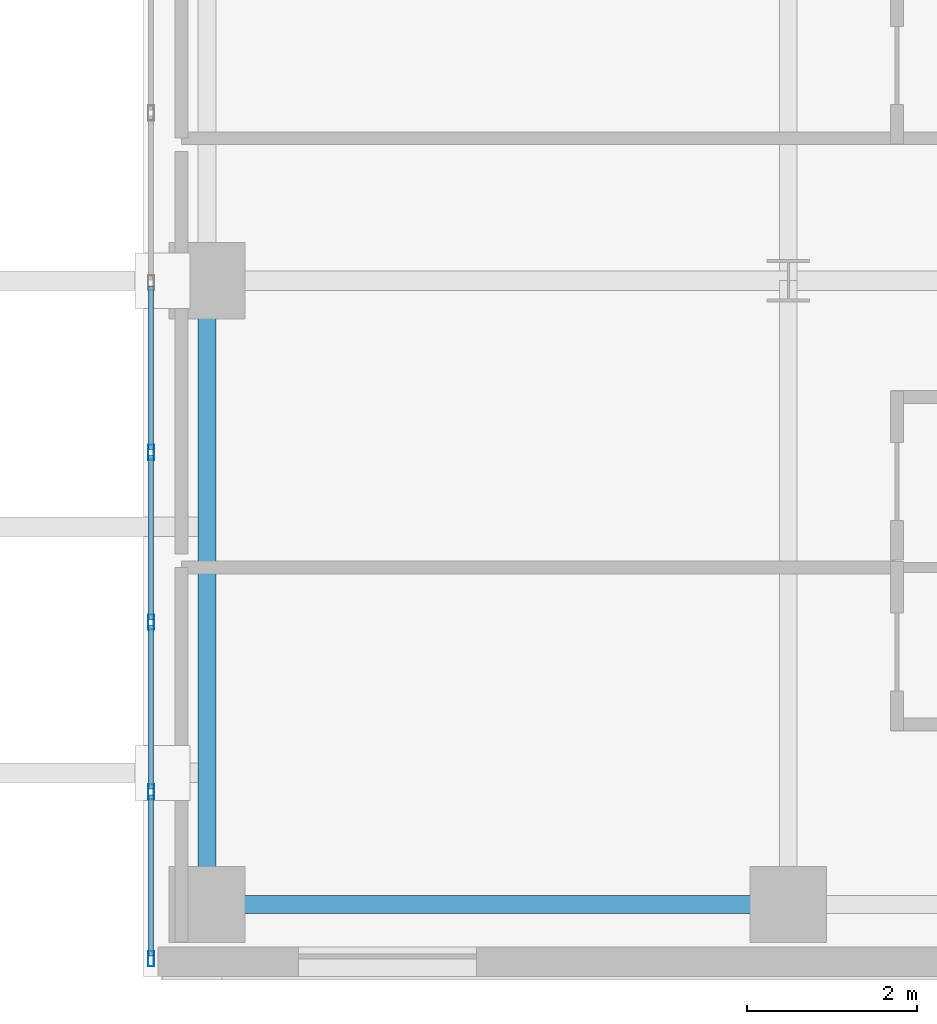
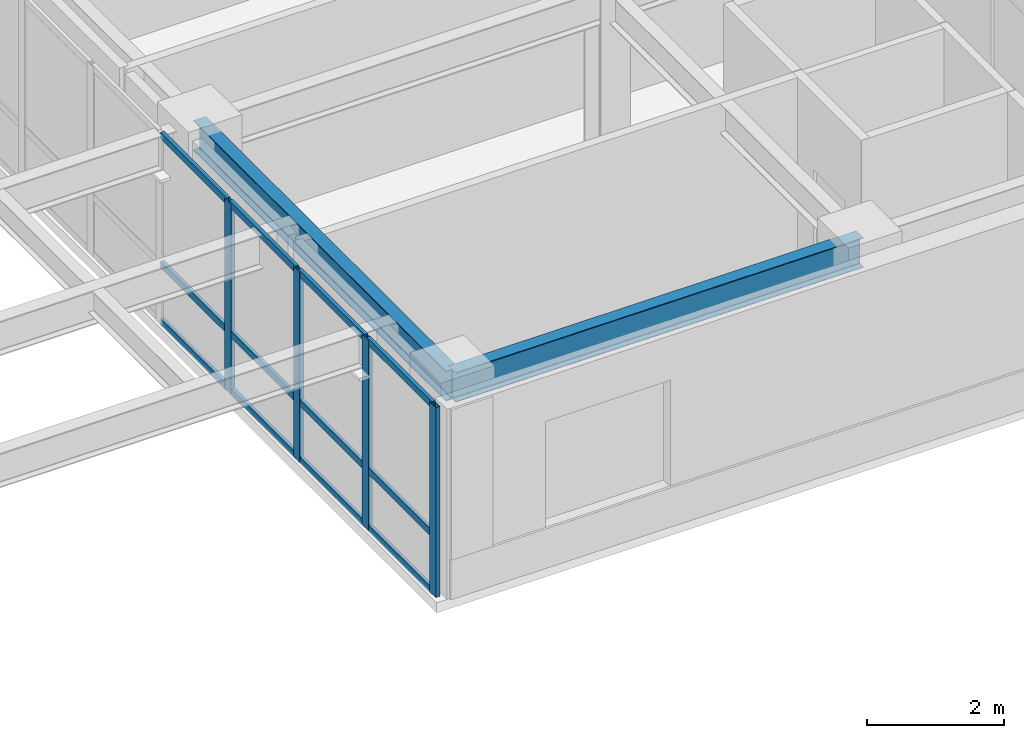
# One storey, part 7 of 24: 16 members, 2 beams, 1 element without a shape of its own.
"""IFC4 building model written with IfcOpenShell, lengths in metres."""

from ifc_helpers import new_model, si_unit, direction, frame, origin, origin_2d, place, context, subcontext, project, spatial, hollow_rectangle, i_section, extrude, source, transform, mapped, material, layer, layer_set, material_profile, profile_set, type_object, type_shapes, element, aggregate, save


model = new_model("IFC4")

# Units and contexts
model_context = context("Model", 3, precision=1e-05, world=origin(), true_north=direction((0.0, 1.0)))
body_context = subcontext(model_context, "Body", "Model", "MODEL_VIEW")
ifc_project = project(units=[si_unit("LENGTHUNIT", "METRE"), si_unit("AREAUNIT", "SQUARE_METRE"), si_unit("VOLUMEUNIT", "CUBIC_METRE"), si_unit("PLANEANGLEUNIT", "RADIAN"), si_unit("MASSUNIT", "GRAM", prefix="KILO")], contexts=[model_context])

# Site, building, storey
site_placement = place(None, origin())
site = spatial("IfcSite", under=ifc_project, at=site_placement, CompositionType="ELEMENT")
building_placement = place(site_placement, origin())
building = spatial("IfcBuilding", under=site, at=building_placement, Name="Tolvann Quenvar Hotel", CompositionType="ELEMENT")
storey_placement = place(building_placement, frame((0.0, 0.0, 118.64990234375)))
storey = spatial("IfcBuildingStorey", under=building, at=storey_placement, Name="L30", CompositionType="ELEMENT", Elevation=118.64990234375)

# Beams
ifc_material_1 = material(Name="Steel Grade 350", Category="steel")
ifc_material_profile_1 = material_profile(ifc_material_1, i_section(OverallWidth=0.208984375, OverallDepth=0.528076171875, WebThickness=0.009521484375, FlangeThickness=0.01318359375, FilletRadius=0.013916015625, at=origin_2d()), Name="530UB82")
ifc_profile_set_1 = profile_set([ifc_material_profile_1], Name="Steel Grade 350")
beam_type_1 = type_object("IfcBeamType", Name="BM_SPAND_530UB82", PredefinedType="SPANDREL", material=ifc_profile_set_1)
shared_shape_1 = source(origin(), body_context, "Body", "SweptSolid", [
    extrude(i_section(OverallWidth=0.208984375, OverallDepth=0.528076171875, WebThickness=0.009521484375, FlangeThickness=0.01318359375, FilletRadius=0.013916015625, at=origin_2d()), origin(), (0.0, 0.0, 1.0), 6.85009765625),
])
type_shapes(beam_type_1, [shared_shape_1])
beam_1_placement = place(storey_placement, frame((34.949951171875, 0.85009765625, 3.106201171875), z_axis=(1.0, 0.0, 0.0), x_axis=(0.0, 1.0, 0.0)))
element("IfcBeam", 1, at=beam_1_placement, inside=storey, type_object=beam_type_1, Name="BM-L30-EW-2-F2-H2", PredefinedType="SPANDREL", context=body_context, shape_type="MappedRepresentation", body=[
    mapped(shared_shape_1, transform((0.0, 0.0, 0.0), x_axis=(1.0, 0.0, 0.0), y_axis=(0.0, 1.0, 0.0), z_axis=(0.0, 0.0, 1.0), scale=1.0)),
])
ifc_material_profile_2 = material_profile(ifc_material_1, i_section(OverallWidth=0.208984375, OverallDepth=0.532958984375, WebThickness=0.01025390625, FlangeThickness=0.015625, FilletRadius=0.013916015625, at=origin_2d()), Name="530UB92")
ifc_profile_set_2 = profile_set([ifc_material_profile_2], Name="Steel Grade 350")
beam_type_2 = type_object("IfcBeamType", Name="BM_GIRD_530UB92", PredefinedType="BEAM", material=ifc_profile_set_2)
shared_shape_2 = source(origin(), body_context, "Body", "SweptSolid", [
    extrude(i_section(OverallWidth=0.208984375, OverallDepth=0.532958984375, WebThickness=0.01025390625, FlangeThickness=0.015625, FilletRadius=0.013916015625, at=origin_2d()), origin(), (0.0, 0.0, 1.0), 7.349853515625),
])
type_shapes(beam_type_2, [shared_shape_2])
beam_2_placement = place(storey_placement, frame((34.949951171875, 0.85009765625, 3.103515625), z_axis=(0.0, 1.0, 0.0), x_axis=(-1.0, 0.0, 0.0)))
element("IfcBeam", 2, at=beam_2_placement, inside=storey, type_object=beam_type_2, Name="BM-L30-NS-F2-F3", PredefinedType="BEAM", context=body_context, shape_type="MappedRepresentation", body=[
    mapped(shared_shape_2, transform((0.0, 0.0, 0.0), x_axis=(1.0, 0.0, 0.0), y_axis=(0.0, 1.0, 0.0), z_axis=(0.0, 0.0, 1.0), scale=1.0)),
])

# Curtain wall, members
ifc_material_2 = material(Name="Thermally broken anodised architectural aluminium 6063-T6 and laminated low-E glass", Category="aluminium")
ifc_layer = layer(ifc_material_2, 0.179931640625)
ifc_layer_set = layer_set([ifc_layer], Name="Thermally broken anodised architectural aluminium 6063-T6 and laminated low-E glass")
curtain_wall_type = type_object("IfcCurtainWallType", Name="CW_SYS_SLOT_03", PredefinedType="USERDEFINED", material=ifc_layer_set)
curtain_wall_placement = place(storey_placement, origin())
curtain_wall = element("IfcCurtainWall", 3, at=curtain_wall_placement, inside=storey, type_object=curtain_wall_type, Name="Curtain Wall CW-SLOT-03 (CWR-L30-E07)", ObjectType="UNITISED CURTAIN WALL", PredefinedType="USERDEFINED")
ifc_material_3 = material(Name="Anodised architectural aluminium 6063-T6 framing", Category="aluminium")
ifc_material_profile_3 = material_profile(ifc_material_3, hollow_rectangle(XDim=0.070068359375, YDim=0.179931640625, WallThickness=0.00390625, at=origin_2d()), Name="180x70x4RHS")
ifc_profile_set_3 = profile_set([ifc_material_profile_3], Name="Anodised architectural aluminium 6063-T6 framing")
member_type_1 = type_object("IfcMemberType", Name="CW_MULL_180x70", PredefinedType="MULLION", material=ifc_profile_set_3)
shared_shape_3 = source(origin(), body_context, "Body", "SweptSolid", [
    extrude(hollow_rectangle(XDim=0.070068359375, YDim=0.179931640625, WallThickness=0.00390625, at=origin_2d()), origin(), (0.0, 0.0, 1.0), 3.3701171875),
])
type_shapes(member_type_1, [shared_shape_3])
member_1_placement = place(storey_placement, frame((34.2900390625, 6.175048828125, 0.0), z_axis=(0.0, 0.0, 1.0), x_axis=(1.0, 0.0, 0.0)))
member_1 = element("IfcMember", 4, at=member_1_placement, type_object=member_type_1, Name="CW-SLOT-03 mullion 6", PredefinedType="MULLION", context=body_context, shape_type="MappedRepresentation", body=[
    mapped(shared_shape_3, transform((0.0, 0.0, 0.0), x_axis=(1.0, 0.0, 0.0), y_axis=(0.0, 1.0, 0.0), z_axis=(0.0, 0.0, 1.0), scale=1.0)),
])
member_2_placement = place(storey_placement, frame((34.2900390625, 4.175048828125, 0.0), z_axis=(0.0, 0.0, 1.0), x_axis=(1.0, 0.0, 0.0)))
member_2 = element("IfcMember", 5, at=member_2_placement, type_object=member_type_1, Name="CW-SLOT-03 mullion 7", PredefinedType="MULLION", context=body_context, shape_type="MappedRepresentation", body=[
    mapped(shared_shape_3, transform((0.0, 0.0, 0.0), x_axis=(1.0, 0.0, 0.0), y_axis=(0.0, 1.0, 0.0), z_axis=(0.0, 0.0, 1.0), scale=1.0)),
])
member_3_placement = place(storey_placement, frame((34.2900390625, 2.175048828125, 0.0), z_axis=(0.0, 0.0, 1.0), x_axis=(1.0, 0.0, 0.0)))
member_3 = element("IfcMember", 6, at=member_3_placement, type_object=member_type_1, Name="CW-SLOT-03 mullion 8", PredefinedType="MULLION", context=body_context, shape_type="MappedRepresentation", body=[
    mapped(shared_shape_3, transform((0.0, 0.0, 0.0), x_axis=(1.0, 0.0, 0.0), y_axis=(0.0, 1.0, 0.0), z_axis=(0.0, 0.0, 1.0), scale=1.0)),
])
member_4_placement = place(storey_placement, frame((34.2900390625, 0.2099609375, 0.0), z_axis=(0.0, 0.0, 1.0), x_axis=(1.0, 0.0, 0.0)))
member_4 = element("IfcMember", 7, at=member_4_placement, type_object=member_type_1, Name="CW-SLOT-03 mullion 9", PredefinedType="MULLION", context=body_context, shape_type="MappedRepresentation", body=[
    mapped(shared_shape_3, transform((0.0, 0.0, 0.0), x_axis=(1.0, 0.0, 0.0), y_axis=(0.0, 1.0, 0.0), z_axis=(0.0, 0.0, 1.0), scale=1.0)),
])
ifc_material_profile_4 = material_profile(ifc_material_3, hollow_rectangle(XDim=0.06005859375, YDim=0.1201171875, WallThickness=0.00341796875, at=origin_2d()), Name="120x60x3.5RHS")
ifc_profile_set_4 = profile_set([ifc_material_profile_4], Name="Anodised architectural aluminium 6063-T6 framing")
member_type_2 = type_object("IfcMemberType", Name="CW_TRAN_120x60", PredefinedType="USERDEFINED", material=ifc_profile_set_4)
shared_shape_4 = source(origin(), body_context, "Body", "SweptSolid", [
    extrude(hollow_rectangle(XDim=0.06005859375, YDim=0.1201171875, WallThickness=0.00341796875, at=origin_2d()), origin(), (0.0, 0.0, 1.0), 1.894775390625),
])
member_5_placement = place(storey_placement, frame((34.2900390625, 2.139892578125, 0.030029296875), z_axis=(0.0, -1.0, 0.0), x_axis=(1.0, 0.0, 0.0)))
member_5 = element("IfcMember", 8, at=member_5_placement, type_object=member_type_2, Name="CW-SLOT-03 transom 8.1", ObjectType="TRANSOM", PredefinedType="USERDEFINED", context=body_context, shape_type="MappedRepresentation", body=[
    mapped(shared_shape_4, transform((0.0, 0.0, 0.0), x_axis=(1.0, 0.0, 0.0), y_axis=(0.0, 1.0, 0.0), z_axis=(0.0, 0.0, 1.0), scale=1.0)),
])
member_6_placement = place(storey_placement, frame((34.2900390625, 2.139892578125, 1.050048828125), z_axis=(0.0, -1.0, 0.0), x_axis=(1.0, 0.0, 0.0)))
member_6 = element("IfcMember", 9, at=member_6_placement, type_object=member_type_2, Name="CW-SLOT-03 transom 8.2", ObjectType="TRANSOM", PredefinedType="USERDEFINED", context=body_context, shape_type="MappedRepresentation", body=[
    mapped(shared_shape_4, transform((0.0, 0.0, 0.0), x_axis=(1.0, 0.0, 0.0), y_axis=(0.0, 1.0, 0.0), z_axis=(0.0, 0.0, 1.0), scale=1.0)),
])
member_7_placement = place(storey_placement, frame((34.2900390625, 2.139892578125, 3.340087890625), z_axis=(0.0, -1.0, 0.0), x_axis=(1.0, 0.0, 0.0)))
member_7 = element("IfcMember", 10, at=member_7_placement, type_object=member_type_2, Name="CW-SLOT-03 transom 8.3", ObjectType="TRANSOM", PredefinedType="USERDEFINED", context=body_context, shape_type="MappedRepresentation", body=[
    mapped(shared_shape_4, transform((0.0, 0.0, 0.0), x_axis=(1.0, 0.0, 0.0), y_axis=(0.0, 1.0, 0.0), z_axis=(0.0, 0.0, 1.0), scale=1.0)),
])
shared_shape_5 = source(origin(), body_context, "Body", "SweptSolid", [
    extrude(hollow_rectangle(XDim=0.06005859375, YDim=0.1201171875, WallThickness=0.00341796875, at=origin_2d()), origin(), (0.0, 0.0, 1.0), 1.929931640625),
])
type_shapes(member_type_2, [shared_shape_4, shared_shape_5])
member_8_placement = place(storey_placement, frame((34.2900390625, 8.139892578125, 0.030029296875), z_axis=(0.0, -1.0, 0.0), x_axis=(1.0, 0.0, 0.0)))
member_8 = element("IfcMember", 11, at=member_8_placement, type_object=member_type_2, Name="CW-SLOT-03 transom 5.1", ObjectType="TRANSOM", PredefinedType="USERDEFINED", context=body_context, shape_type="MappedRepresentation", body=[
    mapped(shared_shape_5, transform((0.0, 0.0, 0.0), x_axis=(1.0, 0.0, 0.0), y_axis=(0.0, 1.0, 0.0), z_axis=(0.0, 0.0, 1.0), scale=1.0)),
])
member_9_placement = place(storey_placement, frame((34.2900390625, 8.139892578125, 1.050048828125), z_axis=(0.0, -1.0, 0.0), x_axis=(1.0, 0.0, 0.0)))
member_9 = element("IfcMember", 12, at=member_9_placement, type_object=member_type_2, Name="CW-SLOT-03 transom 5.2", ObjectType="TRANSOM", PredefinedType="USERDEFINED", context=body_context, shape_type="MappedRepresentation", body=[
    mapped(shared_shape_5, transform((0.0, 0.0, 0.0), x_axis=(1.0, 0.0, 0.0), y_axis=(0.0, 1.0, 0.0), z_axis=(0.0, 0.0, 1.0), scale=1.0)),
])
member_10_placement = place(storey_placement, frame((34.2900390625, 8.139892578125, 3.340087890625), z_axis=(0.0, -1.0, 0.0), x_axis=(1.0, 0.0, 0.0)))
member_10 = element("IfcMember", 13, at=member_10_placement, type_object=member_type_2, Name="CW-SLOT-03 transom 5.3", ObjectType="TRANSOM", PredefinedType="USERDEFINED", context=body_context, shape_type="MappedRepresentation", body=[
    mapped(shared_shape_5, transform((0.0, 0.0, 0.0), x_axis=(1.0, 0.0, 0.0), y_axis=(0.0, 1.0, 0.0), z_axis=(0.0, 0.0, 1.0), scale=1.0)),
])
member_11_placement = place(storey_placement, frame((34.2900390625, 6.139892578125, 0.030029296875), z_axis=(0.0, -1.0, 0.0), x_axis=(1.0, 0.0, 0.0)))
member_11 = element("IfcMember", 14, at=member_11_placement, type_object=member_type_2, Name="CW-SLOT-03 transom 6.1", ObjectType="TRANSOM", PredefinedType="USERDEFINED", context=body_context, shape_type="MappedRepresentation", body=[
    mapped(shared_shape_5, transform((0.0, 0.0, 0.0), x_axis=(1.0, 0.0, 0.0), y_axis=(0.0, 1.0, 0.0), z_axis=(0.0, 0.0, 1.0), scale=1.0)),
])
member_12_placement = place(storey_placement, frame((34.2900390625, 6.139892578125, 1.050048828125), z_axis=(0.0, -1.0, 0.0), x_axis=(1.0, 0.0, 0.0)))
member_12 = element("IfcMember", 15, at=member_12_placement, type_object=member_type_2, Name="CW-SLOT-03 transom 6.2", ObjectType="TRANSOM", PredefinedType="USERDEFINED", context=body_context, shape_type="MappedRepresentation", body=[
    mapped(shared_shape_5, transform((0.0, 0.0, 0.0), x_axis=(1.0, 0.0, 0.0), y_axis=(0.0, 1.0, 0.0), z_axis=(0.0, 0.0, 1.0), scale=1.0)),
])
member_13_placement = place(storey_placement, frame((34.2900390625, 6.139892578125, 3.340087890625), z_axis=(0.0, -1.0, 0.0), x_axis=(1.0, 0.0, 0.0)))
member_13 = element("IfcMember", 16, at=member_13_placement, type_object=member_type_2, Name="CW-SLOT-03 transom 6.3", ObjectType="TRANSOM", PredefinedType="USERDEFINED", context=body_context, shape_type="MappedRepresentation", body=[
    mapped(shared_shape_5, transform((0.0, 0.0, 0.0), x_axis=(1.0, 0.0, 0.0), y_axis=(0.0, 1.0, 0.0), z_axis=(0.0, 0.0, 1.0), scale=1.0)),
])
member_14_placement = place(storey_placement, frame((34.2900390625, 4.139892578125, 0.030029296875), z_axis=(0.0, -1.0, 0.0), x_axis=(1.0, 0.0, 0.0)))
member_14 = element("IfcMember", 17, at=member_14_placement, type_object=member_type_2, Name="CW-SLOT-03 transom 7.1", ObjectType="TRANSOM", PredefinedType="USERDEFINED", context=body_context, shape_type="MappedRepresentation", body=[
    mapped(shared_shape_5, transform((0.0, 0.0, 0.0), x_axis=(1.0, 0.0, 0.0), y_axis=(0.0, 1.0, 0.0), z_axis=(0.0, 0.0, 1.0), scale=1.0)),
])
member_15_placement = place(storey_placement, frame((34.2900390625, 4.139892578125, 1.050048828125), z_axis=(0.0, -1.0, 0.0), x_axis=(1.0, 0.0, 0.0)))
member_15 = element("IfcMember", 18, at=member_15_placement, type_object=member_type_2, Name="CW-SLOT-03 transom 7.2", ObjectType="TRANSOM", PredefinedType="USERDEFINED", context=body_context, shape_type="MappedRepresentation", body=[
    mapped(shared_shape_5, transform((0.0, 0.0, 0.0), x_axis=(1.0, 0.0, 0.0), y_axis=(0.0, 1.0, 0.0), z_axis=(0.0, 0.0, 1.0), scale=1.0)),
])
member_16_placement = place(storey_placement, frame((34.2900390625, 4.139892578125, 3.340087890625), z_axis=(0.0, -1.0, 0.0), x_axis=(1.0, 0.0, 0.0)))
member_16 = element("IfcMember", 19, at=member_16_placement, type_object=member_type_2, Name="CW-SLOT-03 transom 7.3", ObjectType="TRANSOM", PredefinedType="USERDEFINED", context=body_context, shape_type="MappedRepresentation", body=[
    mapped(shared_shape_5, transform((0.0, 0.0, 0.0), x_axis=(1.0, 0.0, 0.0), y_axis=(0.0, 1.0, 0.0), z_axis=(0.0, 0.0, 1.0), scale=1.0)),
])
aggregate(curtain_wall, [member_1, member_2, member_3, member_4, member_8, member_9, member_10, member_11, member_12, member_13, member_14, member_15, member_16, member_5, member_6, member_7])

save(model, "model.ifc")
